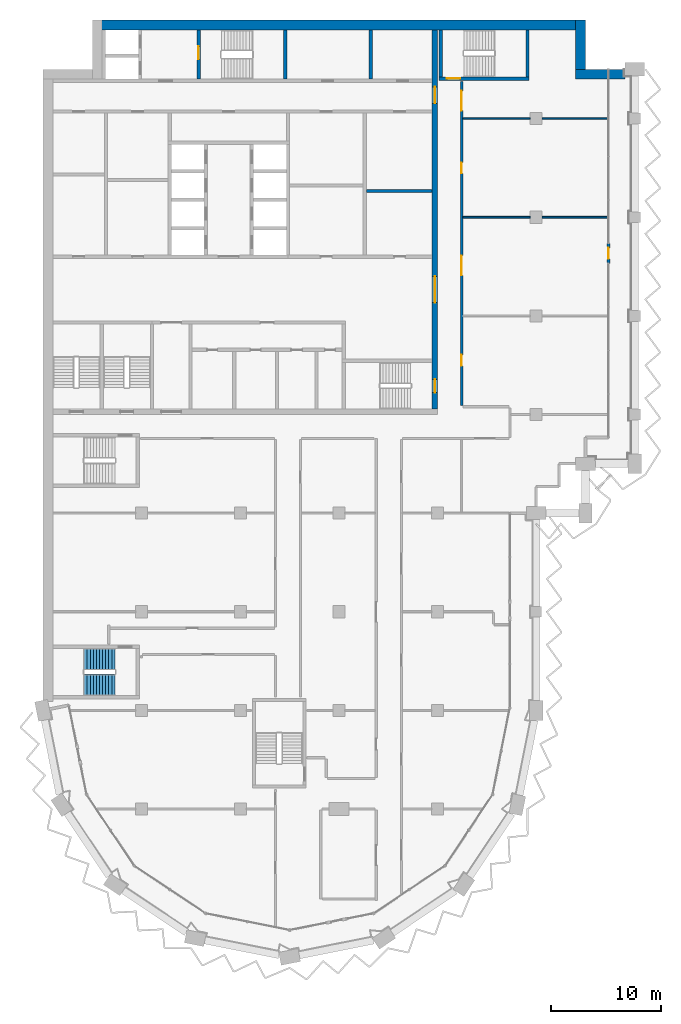
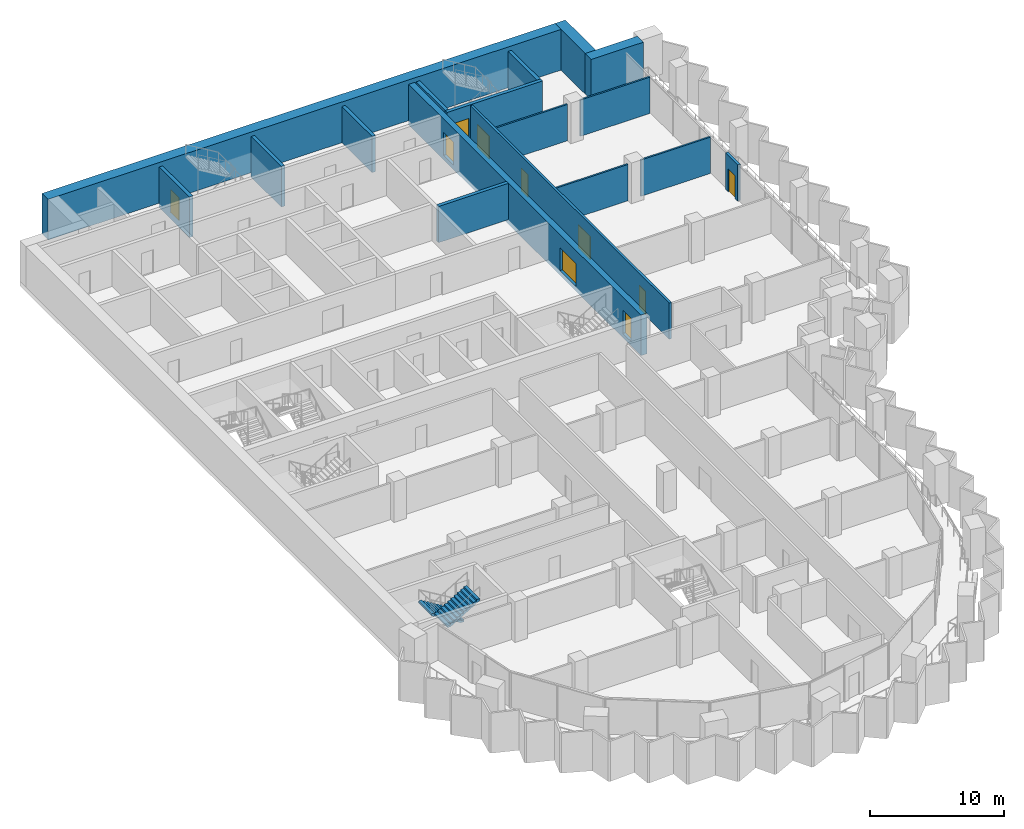
# One storey, part 11 of 17: 17 walls, 10 doors, 2 stair flights, 10 openings, 1 element without a shape of its own.
"""IFC4 building model written with IfcOpenShell, lengths in metres."""

from ifc_helpers import new_model, si_unit, direction, frame, frame_2d, origin, place, context, subcontext, project, spatial, polyline, rectangle, outline, extrude, material, layer, layer_set, type_object, element, fill, aggregate, save


model = new_model("IFC4")

# Units and contexts
model_context = context("Model", 3, precision=1e-05, world=origin(), true_north=direction((0.0, 1.0)))
body_context = subcontext(model_context, "Body", "Model", "MODEL_VIEW")
ifc_project = project(units=[si_unit("LENGTHUNIT", "METRE"), si_unit("AREAUNIT", "SQUARE_METRE"), si_unit("VOLUMEUNIT", "CUBIC_METRE"), si_unit("PLANEANGLEUNIT", "RADIAN"), si_unit("MASSUNIT", "GRAM", prefix="KILO")], contexts=[model_context])

# Site, building, storey
site_placement = place(None, origin())
site = spatial("IfcSite", under=ifc_project, at=site_placement, CompositionType="ELEMENT")
building_placement = place(site_placement, origin())
building = spatial("IfcBuilding", under=site, at=building_placement, Name="Hunhe Ridgeline Campus", CompositionType="ELEMENT")
storey_placement = place(building_placement, frame((0.0, 0.0, 205.0)))
storey = spatial("IfcBuildingStorey", under=building, at=storey_placement, Name="L52", CompositionType="ELEMENT", Elevation=205.0)

# Walls
ifc_material_1 = material(Name="Masonry concrete blockwork", Category="masonry")
ifc_layer_1 = layer(ifc_material_1, 0.300048828125)
ifc_layer_set_1 = layer_set([ifc_layer_1], Name="Core room partition 300 concrete block")
wall_type_1 = type_object("IfcWallType", Name="Core room partition 300 concrete block", PredefinedType="PARTITIONING", material=ifc_layer_set_1)
wall_1_placement = place(storey_placement, frame((29.5, 83.39990234375, 0.0), z_axis=(0.0, 0.0, 1.0), x_axis=(1.0, 0.0, 0.0)))
element("IfcWall", 1, at=wall_1_placement, inside=storey, type_object=wall_type_1, Name="L52 core partition 18", PredefinedType="PARTITIONING", context=body_context, shape_type="SweptSolid", body=[
    extrude(rectangle(XDim=6.0, YDim=0.300048828125, at=frame_2d((3.0, 0.0))), origin(), (0.0, 0.0, 1.0), 3.300048828125),
])
wall_2_placement = place(storey_placement, frame((29.89990234375, 93.60009765625, 0.0), z_axis=(0.0, 0.0, 1.0), x_axis=(0.0, 1.0, 0.0)))
element("IfcWall", 2, at=wall_2_placement, inside=storey, type_object=wall_type_1, Name="L52 core partition 53", PredefinedType="PARTITIONING", context=body_context, shape_type="SweptSolid", body=[
    extrude(rectangle(XDim=4.5, YDim=0.300048828125, at=frame_2d((2.25, 0.0))), origin(), (0.0, 0.0, 1.0), 3.300048828125),
])

# Wall, openings, doors
ifc_material_2 = material(Name="Concrete C60", Category="concrete")
ifc_layer_2 = layer(ifc_material_2, 0.5)
ifc_layer_set_2 = layer_set([ifc_layer_2], Name="Core wall 500 reinforced concrete C60")
wall_type_2 = type_object("IfcWallType", Name="Core wall 500 reinforced concrete C60", PredefinedType="SOLIDWALL", material=ifc_layer_set_2)
wall_3_placement = place(storey_placement, frame((35.75, 63.5, -0.39990234375), z_axis=(0.0, 0.0, 1.0), x_axis=(0.0, 1.0, 0.0)))
wall_3 = element("IfcWall", 3, at=wall_3_placement, inside=storey, type_object=wall_type_2, Name="L52 core wall 54", PredefinedType="SOLIDWALL", context=body_context, shape_type="SweptSolid", body=[
    extrude(rectangle(XDim=34.60009765625, YDim=0.5, at=frame_2d((17.300048828125, 0.0))), origin(), (0.0, 0.0, 1.0), 3.699951171875),
])
opening_1_placement = place(wall_3_placement, frame((9.699951171875, 0.0, 0.39990234375)))
opening_1 = element("IfcOpeningElement", 4, at=opening_1_placement, cuts=wall_3, Name="Opening CD4", PredefinedType="OPENING", context=body_context, shape_type="SweptSolid", body=[
    extrude(rectangle(XDim=2.39990234375, YDim=2.10009765625, at=frame_2d((1.199951171875, 1.050048828125))), frame((0.0, 0.25, 0.0), z_axis=(0.0, -1.0, 0.0), x_axis=(1.0, 0.0, 0.0)), (0.0, 0.0, 1.0), 0.5),
])
opening_2_placement = place(wall_3_placement, frame((27.89990234375, 0.0, 0.39990234375)))
opening_2 = element("IfcOpeningElement", 5, at=opening_2_placement, cuts=wall_3, Name="Opening CD5", PredefinedType="OPENING", context=body_context, shape_type="SweptSolid", body=[
    extrude(rectangle(XDim=1.5, YDim=2.10009765625, at=frame_2d((0.75, 1.050048828125))), frame((0.0, 0.25, 0.0), z_axis=(0.0, -1.0, 0.0), x_axis=(1.0, 0.0, 0.0)), (0.0, 0.0, 1.0), 0.5),
])
opening_3_placement = place(wall_3_placement, frame((1.5, 0.0, 0.39990234375)))
opening_3 = element("IfcOpeningElement", 6, at=opening_3_placement, cuts=wall_3, Name="Opening CD15", PredefinedType="OPENING", context=body_context, shape_type="SweptSolid", body=[
    extrude(rectangle(XDim=1.199951171875, YDim=2.10009765625, at=frame_2d((0.60009765625, 1.050048828125))), frame((0.0, 0.25, 0.0), z_axis=(0.0, -1.0, 0.0), x_axis=(1.0, 0.0, 0.0)), (0.0, 0.0, 1.0), 0.5),
])
ifc_material_3 = material(Name="Anodised aluminium and glass", Category="aluminium")
door_type_1 = type_object("IfcDoorType", Name="Glazed double door 2400x2100", OperationType="DOUBLE_DOOR_SINGLE_SWING", PredefinedType="DOOR", material=ifc_material_3)
door_1_placement = place(opening_1_placement, frame((2.39990234375, 0.0, 0.0), z_axis=(0.0, 0.0, 1.0), x_axis=(-1.0, 0.0, 0.0)))
door_1 = element("IfcDoor", 7, at=door_1_placement, inside=storey, type_object=door_type_1, Name="L52 door HALL-FLOOR", OperationType="DOUBLE_DOOR_SINGLE_SWING", OverallHeight=2.10009765625, OverallWidth=2.39990234375, PredefinedType="DOOR", context=body_context, shape_type="SweptSolid", body=[
    extrude(rectangle(XDim=2.39990234375, YDim=2.10009765625, at=frame_2d((1.199951171875, 1.050048828125))), frame((0.0, 0.02490234375, 0.0), z_axis=(0.0, -1.0, 0.0), x_axis=(1.0, 0.0, 0.0)), (0.0, 0.0, 1.0), 0.050048828125),
])
fill(opening_1, door_1)
ifc_material_4 = material(Name="Hollow metal fire door leaf")
door_type_2 = type_object("IfcDoorType", Name="Stair door 1200x2100 FD60", OperationType="SINGLE_SWING_LEFT", PredefinedType="DOOR", material=ifc_material_4)
door_2_placement = place(opening_3_placement, frame((1.199951171875, 0.0, 0.0), z_axis=(0.0, 0.0, 1.0), x_axis=(-1.0, 0.0, 0.0)))
door_2 = element("IfcDoor", 8, at=door_2_placement, inside=storey, type_object=door_type_2, Name="L52 door S2-FLOOR", OperationType="SINGLE_SWING_LEFT", OverallHeight=2.10009765625, OverallWidth=1.199951171875, PredefinedType="DOOR", context=body_context, shape_type="SweptSolid", body=[
    extrude(rectangle(XDim=1.199951171875, YDim=2.10009765625, at=frame_2d((0.60009765625, 1.050048828125))), frame((0.0, 0.02490234375, 0.0), z_axis=(0.0, -1.0, 0.0), x_axis=(1.0, 0.0, 0.0)), (0.0, 0.0, 1.0), 0.050048828125),
])
fill(opening_3, door_2)
ifc_material_5 = material(Name="Solid core timber door leaf", Category="wood")
door_type_3 = type_object("IfcDoorType", Name="Timber door 1500x2100", OperationType="SINGLE_SWING_LEFT", PredefinedType="DOOR", material=ifc_material_5)
door_3_placement = place(opening_2_placement, frame((1.5, 0.0, 0.0), z_axis=(0.0, 0.0, 1.0), x_axis=(-1.0, 0.0, 0.0)))
door_3 = element("IfcDoor", 9, at=door_3_placement, inside=storey, type_object=door_type_3, Name="L52 door C1-FLOOR", OperationType="SINGLE_SWING_LEFT", OverallHeight=2.10009765625, OverallWidth=1.5, PredefinedType="DOOR", context=body_context, shape_type="SweptSolid", body=[
    extrude(rectangle(XDim=1.5, YDim=2.10009765625, at=frame_2d((0.75, 1.050048828125))), frame((0.0, 0.02490234375, 0.0), z_axis=(0.0, -1.0, 0.0), x_axis=(1.0, 0.0, 0.0)), (0.0, 0.0, 1.0), 0.050048828125),
])
fill(opening_2, door_3)

ifc_material_6 = material(Name="Gypsum board partition")
ifc_layer_3 = layer(ifc_material_6, 0.199951171875)
ifc_layer_set_3 = layer_set([ifc_layer_3], Name="Corridor partition 200 gypsum board on steel studs")
wall_type_3 = type_object("IfcWallType", Name="Corridor partition 200 gypsum board on steel studs", PredefinedType="PARTITIONING", material=ifc_layer_set_3)
wall_4_placement = place(storey_placement, frame((38.199951171875, 93.39599609375, 0.0), z_axis=(0.0, 0.0, 1.0), x_axis=(0.0, -1.0, 0.0)))
wall_4 = element("IfcWall", 10, at=wall_4_placement, inside=storey, type_object=wall_type_3, Name="F-L52-wall-057", PredefinedType="PARTITIONING", context=body_context, shape_type="SweptSolid", body=[
    extrude(rectangle(XDim=29.595947265625, YDim=0.199951171875, at=frame_2d((14.7978515625, 0.0))), origin(), (0.0, 0.0, 1.0), 3.300048828125),
])
opening_4_placement = place(wall_4_placement, frame((24.95751953125, 0.0, 0.0)))
opening_4 = element("IfcOpeningElement", 11, at=opening_4_placement, cuts=wall_4, Name="Opening RD1-017", PredefinedType="OPENING", context=body_context, shape_type="SweptSolid", body=[
    extrude(rectangle(XDim=1.0, YDim=2.10009765625, at=frame_2d((0.5, 1.050048828125))), frame((0.0, 0.10009765625, 0.0), z_axis=(0.0, -1.0, 0.0), x_axis=(1.0, 0.0, 0.0)), (0.0, 0.0, 1.0), 0.199951171875),
])
opening_5_placement = place(wall_4_placement, frame((15.904541015625, 0.0, 0.0)))
opening_5 = element("IfcOpeningElement", 12, at=opening_5_placement, cuts=wall_4, Name="Opening RD2-018", PredefinedType="OPENING", context=body_context, shape_type="SweptSolid", body=[
    extrude(rectangle(XDim=1.800048828125, YDim=2.10009765625, at=frame_2d((0.89990234375, 1.050048828125))), frame((0.0, 0.10009765625, 0.0), z_axis=(0.0, -1.0, 0.0), x_axis=(1.0, 0.0, 0.0)), (0.0, 0.0, 1.0), 0.199951171875),
])
opening_6_placement = place(wall_4_placement, frame((7.400634765625, 0.0, 0.0)))
opening_6 = element("IfcOpeningElement", 13, at=opening_6_placement, cuts=wall_4, Name="Opening RD1-019", PredefinedType="OPENING", context=body_context, shape_type="SweptSolid", body=[
    extrude(rectangle(XDim=1.0, YDim=2.10009765625, at=frame_2d((0.5, 1.050048828125))), frame((0.0, 0.10009765625, 0.0), z_axis=(0.0, -1.0, 0.0), x_axis=(1.0, 0.0, 0.0)), (0.0, 0.0, 1.0), 0.199951171875),
])
opening_7_placement = place(wall_4_placement, frame((0.855712890625, 0.0, 0.0)))
opening_7 = element("IfcOpeningElement", 14, at=opening_7_placement, cuts=wall_4, Name="Opening RD2-020", PredefinedType="OPENING", context=body_context, shape_type="SweptSolid", body=[
    extrude(rectangle(XDim=1.800048828125, YDim=2.10009765625, at=frame_2d((0.89990234375, 1.050048828125))), frame((0.0, 0.10009765625, 0.0), z_axis=(0.0, -1.0, 0.0), x_axis=(1.0, 0.0, 0.0)), (0.0, 0.0, 1.0), 0.199951171875),
])
ifc_material_7 = material(Name="Timber door leaf", Category="wood")
door_type_4 = type_object("IfcDoorType", Name="Double fire door 1800x2100 timber FD60", OperationType="DOUBLE_DOOR_SINGLE_SWING", PredefinedType="DOOR", material=ifc_material_7)
door_4_placement = place(opening_5_placement, origin())
door_4 = element("IfcDoor", 15, at=door_4_placement, inside=storey, type_object=door_type_4, Name="F-L52-door-018", OperationType="DOUBLE_DOOR_SINGLE_SWING", OverallHeight=2.10009765625, OverallWidth=1.800048828125, PredefinedType="DOOR", context=body_context, shape_type="SweptSolid", body=[
    extrude(rectangle(XDim=1.800048828125, YDim=2.10009765625, at=frame_2d((0.89990234375, 1.050048828125))), frame((0.0, 0.02490234375, 0.0), z_axis=(0.0, -1.0, 0.0), x_axis=(1.0, 0.0, 0.0)), (0.0, 0.0, 1.0), 0.050048828125),
])
fill(opening_5, door_4)
door_5_placement = place(opening_7_placement, origin())
door_5 = element("IfcDoor", 16, at=door_5_placement, inside=storey, type_object=door_type_4, Name="F-L52-door-020", OperationType="DOUBLE_DOOR_SINGLE_SWING", OverallHeight=2.10009765625, OverallWidth=1.800048828125, PredefinedType="DOOR", context=body_context, shape_type="SweptSolid", body=[
    extrude(rectangle(XDim=1.800048828125, YDim=2.10009765625, at=frame_2d((0.89990234375, 1.050048828125))), frame((0.0, 0.02490234375, 0.0), z_axis=(0.0, -1.0, 0.0), x_axis=(1.0, 0.0, 0.0)), (0.0, 0.0, 1.0), 0.050048828125),
])
fill(opening_7, door_5)
door_type_5 = type_object("IfcDoorType", Name="Single fire door 1000x2100 timber FD60", OperationType="NOTDEFINED", PredefinedType="DOOR", material=ifc_material_7)
door_6_placement = place(opening_4_placement, origin())
door_6 = element("IfcDoor", 17, at=door_6_placement, inside=storey, type_object=door_type_5, Name="F-L52-door-017", OperationType="SINGLE_SWING_RIGHT", OverallHeight=2.10009765625, OverallWidth=1.0, PredefinedType="DOOR", context=body_context, shape_type="SweptSolid", body=[
    extrude(rectangle(XDim=1.0, YDim=2.10009765625, at=frame_2d((0.5, 1.050048828125))), frame((0.0, 0.02490234375, 0.0), z_axis=(0.0, -1.0, 0.0), x_axis=(1.0, 0.0, 0.0)), (0.0, 0.0, 1.0), 0.050048828125),
])
fill(opening_4, door_6)
door_7_placement = place(opening_6_placement, origin())
door_7 = element("IfcDoor", 18, at=door_7_placement, inside=storey, type_object=door_type_5, Name="F-L52-door-019", OperationType="SINGLE_SWING_LEFT", OverallHeight=2.10009765625, OverallWidth=1.0, PredefinedType="DOOR", context=body_context, shape_type="SweptSolid", body=[
    extrude(rectangle(XDim=1.0, YDim=2.10009765625, at=frame_2d((0.5, 1.050048828125))), frame((0.0, 0.02490234375, 0.0), z_axis=(0.0, -1.0, 0.0), x_axis=(1.0, 0.0, 0.0)), (0.0, 0.0, 1.0), 0.050048828125),
])
fill(opening_6, door_7)

# Wall, opening, door
ifc_material_8 = material(Name="Concrete C30", Category="concrete")
ifc_layer_4 = layer(ifc_material_8, 0.25)
ifc_layer_set_4 = layer_set([ifc_layer_4], Name="Loggia door pier wall 250 Concrete C30")
wall_type_4 = type_object("IfcWallType", Name="Loggia door pier wall 250 Concrete C30", PredefinedType="SOLIDWALL", material=ifc_layer_set_4)
wall_5_placement = place(storey_placement, frame((51.59912109375, 76.800537109375, 0.0), z_axis=(0.0, 0.0, 1.0), x_axis=(0.0, 1.0, 0.0)))
wall_5 = element("IfcWall", 19, at=wall_5_placement, inside=storey, type_object=wall_type_4, Name="Loggia door pier 4", PredefinedType="SOLIDWALL", context=body_context, shape_type="SweptSolid", body=[
    extrude(rectangle(XDim=1.800048828125, YDim=0.25, at=frame_2d((0.89990234375, 0.0))), origin(), (0.0, 0.0, 1.0), 3.300048828125),
])
opening_8_placement = place(wall_5_placement, frame((0.39990234375, 0.0, 0.0)))
opening_8 = element("IfcOpeningElement", 20, at=opening_8_placement, cuts=wall_5, Name="Opening BD406", PredefinedType="OPENING", context=body_context, shape_type="SweptSolid", body=[
    extrude(rectangle(XDim=1.0, YDim=2.10009765625, at=frame_2d((0.5, 1.050048828125))), frame((0.0, 0.125, 0.0), z_axis=(0.0, -1.0, 0.0), x_axis=(1.0, 0.0, 0.0)), (0.0, 0.0, 1.0), 0.25),
])
ifc_material_9 = material(Name="Aluminium 6063", Category="aluminium")
door_type_6 = type_object("IfcDoorType", Name="Loggia glazed door 1000x2100", OperationType="NOTDEFINED", PredefinedType="DOOR", material=ifc_material_9)
door_8_placement = place(opening_8_placement, frame((1.0, 0.0, 0.0), z_axis=(0.0, 0.0, 1.0), x_axis=(-1.0, 0.0, 0.0)))
door_8 = element("IfcDoor", 21, at=door_8_placement, inside=storey, type_object=door_type_6, Name="Loggia door BD406", OperationType="SINGLE_SWING_LEFT", OverallHeight=2.10009765625, OverallWidth=1.0, PredefinedType="DOOR", context=body_context, shape_type="SweptSolid", body=[
    extrude(rectangle(XDim=1.0, YDim=2.10009765625, at=frame_2d((0.5, 1.050048828125))), frame((0.0, 0.02490234375, 0.0), z_axis=(0.0, -1.0, 0.0), x_axis=(1.0, 0.0, 0.0)), (0.0, 0.0, 1.0), 0.050048828125),
])
fill(opening_8, door_8)

# Walls
ifc_layer_5 = layer(ifc_material_6, 0.14990234375)
ifc_layer_set_5 = layer_set([ifc_layer_5], Name="Room partition 150 gypsum board on steel studs")
wall_type_5 = type_object("IfcWallType", Name="Room partition 150 gypsum board on steel studs", PredefinedType="PARTITIONING", material=ifc_layer_set_5)
wall_6_placement = place(storey_placement, frame((38.300048828125, 81.0, 0.0), z_axis=(0.0, 0.0, 1.0), x_axis=(1.0, 0.0, 0.0)))
element("IfcWall", 22, at=wall_6_placement, inside=storey, type_object=wall_type_5, Name="F-L52-wall-041", PredefinedType="PARTITIONING", context=body_context, shape_type="SweptSolid", body=[
    extrude(rectangle(XDim=6.14990234375, YDim=0.14990234375, at=frame_2d((3.074951171875, 0.0))), origin(), (0.0, 0.0, 1.0), 3.300048828125),
])
wall_7_placement = place(storey_placement, frame((45.550048828125, 81.0, 0.0), z_axis=(0.0, 0.0, 1.0), x_axis=(1.0, 0.0, 0.0)))
element("IfcWall", 23, at=wall_7_placement, inside=storey, type_object=wall_type_5, Name="F-L52-wall-042", PredefinedType="PARTITIONING", context=body_context, shape_type="SweptSolid", body=[
    extrude(rectangle(XDim=5.994873046875, YDim=0.14990234375, at=frame_2d((2.99755859375, 0.0))), origin(), (0.0, 0.0, 1.0), 3.300048828125),
])
wall_8_placement = place(storey_placement, frame((38.300048828125, 90.0, 0.0), z_axis=(0.0, 0.0, 1.0), x_axis=(1.0, 0.0, 0.0)))
element("IfcWall", 24, at=wall_8_placement, inside=storey, type_object=wall_type_5, Name="F-L52-wall-043", PredefinedType="PARTITIONING", context=body_context, shape_type="SweptSolid", body=[
    extrude(rectangle(XDim=6.14990234375, YDim=0.14990234375, at=frame_2d((3.074951171875, 0.0))), origin(), (0.0, 0.0, 1.0), 3.300048828125),
])
wall_9_placement = place(storey_placement, frame((45.550048828125, 90.0, 0.0), z_axis=(0.0, 0.0, 1.0), x_axis=(1.0, 0.0, 0.0)))
element("IfcWall", 25, at=wall_9_placement, inside=storey, type_object=wall_type_5, Name="F-L52-wall-044", PredefinedType="PARTITIONING", context=body_context, shape_type="SweptSolid", body=[
    extrude(rectangle(XDim=5.994873046875, YDim=0.14990234375, at=frame_2d((2.99755859375, 0.0))), origin(), (0.0, 0.0, 1.0), 3.300048828125),
])
ifc_layer_6 = layer(ifc_material_2, 0.89990234375)
ifc_layer_set_6 = layer_set([ifc_layer_6], Name="Spine wall 900 Concrete C60")
wall_type_6 = type_object("IfcWallType", Name="Spine wall 900 Concrete C60", PredefinedType="SHEAR", material=ifc_layer_set_6)
wall_10_placement = place(storey_placement, frame((53.10009765625, 94.050048828125, 0.0), z_axis=(0.0, 0.0, 1.0), x_axis=(-1.0, 0.0, 0.0)))
element("IfcWall", 26, at=wall_10_placement, inside=storey, type_object=wall_type_6, Name="Spine wall SW3-2 L52", PredefinedType="SHEAR", context=body_context, shape_type="SweptSolid", body=[
    extrude(rectangle(XDim=4.5, YDim=0.89990234375, at=frame_2d((2.25, 0.0))), origin(), (0.0, 0.0, 1.0), 3.699951171875),
])
wall_11_placement = place(storey_placement, frame((49.050048828125, 93.60009765625, 0.0), z_axis=(0.0, 0.0, 1.0), x_axis=(0.0, 1.0, 0.0)))
element("IfcWall", 27, at=wall_11_placement, inside=storey, type_object=wall_type_6, Name="Spine wall SW3-3 L52", PredefinedType="SHEAR", context=body_context, shape_type="SweptSolid", body=[
    extrude(rectangle(XDim=5.39990234375, YDim=0.89990234375, at=frame_2d((2.699951171875, 0.0))), origin(), (0.0, 0.0, 1.0), 3.699951171875),
])
wall_12_placement = place(storey_placement, frame((49.5, 98.550048828125, 0.0), z_axis=(0.0, 0.0, 1.0), x_axis=(-1.0, 0.0, 0.0)))
element("IfcWall", 28, at=wall_12_placement, inside=storey, type_object=wall_type_6, Name="Spine wall SW3-4 L52", PredefinedType="SHEAR", context=body_context, shape_type="SweptSolid", body=[
    extrude(rectangle(XDim=45.0, YDim=0.89990234375, at=frame_2d((22.5, 0.0))), origin(), (0.0, 0.0, 1.0), 3.699951171875),
])

# Wall, opening, door
ifc_layer_7 = layer(ifc_material_2, 0.300048828125)
ifc_layer_set_7 = layer_set([ifc_layer_7], Name="Stair wall 300 reinforced concrete C60")
wall_type_7 = type_object("IfcWallType", Name="Stair wall 300 reinforced concrete C60", PredefinedType="SOLIDWALL", material=ifc_layer_set_7)
wall_13_placement = place(storey_placement, frame((36.14990234375, 93.64990234375, -0.39990234375), z_axis=(0.0, 0.0, 1.0), x_axis=(1.0, 0.0, 0.0)))
wall_13 = element("IfcWall", 29, at=wall_13_placement, inside=storey, type_object=wall_type_7, Name="L52 core wall 27", PredefinedType="SOLIDWALL", context=body_context, shape_type="SweptSolid", body=[
    extrude(rectangle(XDim=8.2001953125, YDim=0.300048828125, at=frame_2d((4.10009765625, 0.0))), origin(), (0.0, 0.0, 1.0), 3.699951171875),
])
opening_9_placement = place(wall_13_placement, frame((0.699951171875, 0.0, 0.39990234375)))
opening_9 = element("IfcOpeningElement", 30, at=opening_9_placement, cuts=wall_13, Name="Opening CD17", PredefinedType="OPENING", context=body_context, shape_type="SweptSolid", body=[
    extrude(rectangle(XDim=1.199951171875, YDim=2.10009765625, at=frame_2d((0.60009765625, 1.050048828125))), frame((0.0, 0.14990234375, 0.0), z_axis=(0.0, -1.0, 0.0), x_axis=(1.0, 0.0, 0.0)), (0.0, 0.0, 1.0), 0.300048828125),
])
door_9_placement = place(opening_9_placement, frame((1.199951171875, 0.0, 0.0), z_axis=(0.0, 0.0, 1.0), x_axis=(-1.0, 0.0, 0.0)))
door_9 = element("IfcDoor", 31, at=door_9_placement, inside=storey, type_object=door_type_2, Name="L52 door E1", OperationType="SINGLE_SWING_LEFT", OverallHeight=2.10009765625, OverallWidth=1.199951171875, PredefinedType="DOOR", context=body_context, shape_type="SweptSolid", body=[
    extrude(rectangle(XDim=1.199951171875, YDim=2.10009765625, at=frame_2d((0.60009765625, 1.050048828125))), frame((0.0, 0.02490234375, 0.0), z_axis=(0.0, -1.0, 0.0), x_axis=(1.0, 0.0, 0.0)), (0.0, 0.0, 1.0), 0.050048828125),
])
fill(opening_9, door_9)

wall_14_placement = place(storey_placement, frame((14.199951171875, 93.60009765625, -0.39990234375), z_axis=(0.0, 0.0, 1.0), x_axis=(0.0, 1.0, 0.0)))
wall_14 = element("IfcWall", 32, at=wall_14_placement, inside=storey, type_object=wall_type_7, Name="L52 core wall 39", PredefinedType="SOLIDWALL", context=body_context, shape_type="SweptSolid", body=[
    extrude(rectangle(XDim=4.5, YDim=0.300048828125, at=frame_2d((2.25, 0.0))), origin(), (0.0, 0.0, 1.0), 3.699951171875),
])
opening_10_placement = place(wall_14_placement, frame((1.800048828125, 0.0, 0.39990234375)))
opening_10 = element("IfcOpeningElement", 33, at=opening_10_placement, cuts=wall_14, Name="Opening CD16", PredefinedType="OPENING", context=body_context, shape_type="SweptSolid", body=[
    extrude(rectangle(XDim=1.199951171875, YDim=2.10009765625, at=frame_2d((0.60009765625, 1.050048828125))), frame((0.0, 0.14990234375, 0.0), z_axis=(0.0, -1.0, 0.0), x_axis=(1.0, 0.0, 0.0)), (0.0, 0.0, 1.0), 0.300048828125),
])
door_10_placement = place(opening_10_placement, origin())
door_10 = element("IfcDoor", 34, at=door_10_placement, inside=storey, type_object=door_type_2, Name="L52 door S1-FF", OperationType="SINGLE_SWING_RIGHT", OverallHeight=2.10009765625, OverallWidth=1.199951171875, PredefinedType="DOOR", context=body_context, shape_type="SweptSolid", body=[
    extrude(rectangle(XDim=1.199951171875, YDim=2.10009765625, at=frame_2d((0.60009765625, 1.050048828125))), frame((0.0, 0.02490234375, 0.0), z_axis=(0.0, -1.0, 0.0), x_axis=(1.0, 0.0, 0.0)), (0.0, 0.0, 1.0), 0.050048828125),
])
fill(opening_10, door_10)

# Walls
wall_15_placement = place(storey_placement, frame((22.10009765625, 93.60009765625, -0.39990234375), z_axis=(0.0, 0.0, 1.0), x_axis=(0.0, 1.0, 0.0)))
element("IfcWall", 35, at=wall_15_placement, inside=storey, type_object=wall_type_7, Name="L52 core wall 45", PredefinedType="SOLIDWALL", context=body_context, shape_type="SweptSolid", body=[
    extrude(rectangle(XDim=4.5, YDim=0.300048828125, at=frame_2d((2.25, 0.0))), origin(), (0.0, 0.0, 1.0), 3.699951171875),
])
for number, where, z_axis, x_axis, name in (
    (36, (36.300048828125, 93.800048828125, -0.39990234375), (0.0, 0.0, 1.0), (0.0, 1.0, 0.0), "L52 core wall 55"),
    (37, (44.199951171875, 93.800048828125, -0.39990234375), (0.0, 0.0, 1.0), (0.0, 1.0, 0.0), "L52 core wall 56"),
):
    element("IfcWall", number, at=place(storey_placement, frame(where, z_axis=z_axis, x_axis=x_axis)), inside=storey, type_object=wall_type_7, Name=name, PredefinedType="SOLIDWALL", context=body_context, shape_type="SweptSolid", body=[
        extrude(rectangle(XDim=4.300048828125, YDim=0.300048828125, at=frame_2d((2.14990234375, 0.0))), origin(), (0.0, 0.0, 1.0), 3.699951171875),
    ])

# Stair, stair flights
ifc_material_10 = material(Name="Concrete C40", Category="concrete")
stair_type = type_object("IfcStairType", Name="Reinforced concrete dog-leg stair 1950 Concrete C40", PredefinedType="HALF_TURN_STAIR", material=ifc_material_10)
stair_placement = place(storey_placement, origin())
stair = element("IfcStair", 38, at=stair_placement, inside=storey, type_object=stair_type, Name="L52 W1", PredefinedType="HALF_TURN_STAIR")
stair_flight_type = type_object("IfcStairFlightType", Name="Reinforced concrete stair flight 1950 Concrete C40", PredefinedType="STRAIGHT", material=ifc_material_10)
stair_flight_1_placement = place(storey_placement, frame((6.550048828125, 40.675048828125, 0.0), z_axis=(0.0, 0.0, 1.0), x_axis=(-1.0, 0.0, 0.0)))
stair_flight_1 = element("IfcStairFlight", 39, at=stair_flight_1_placement, type_object=stair_flight_type, Name="ST11 flight 1", NumberOfRisers=11, NumberOfTreads=10, PredefinedType="STRAIGHT", RiserHeight=0.168181818, TreadLength=0.28, context=body_context, shape_type="SweptSolid", body=[
    extrude(outline(polyline([(0.0, 0.0), (0.0, 0.168212890625), (0.280029296875, 0.168212890625), (0.280029296875, 0.33642578125), (0.56005859375, 0.33642578125), (0.56005859375, 0.504638671875), (0.840087890625, 0.504638671875), (0.840087890625, 0.672607421875), (1.1201171875, 0.672607421875), (1.1201171875, 0.8408203125), (1.39990234375, 0.8408203125), (1.39990234375, 1.009033203125), (1.679931640625, 1.009033203125), (1.679931640625, 1.17724609375), (1.9599609375, 1.17724609375), (1.9599609375, 1.345458984375), (2.239990234375, 1.345458984375), (2.239990234375, 1.513671875), (2.52001953125, 1.513671875), (2.52001953125, 1.681884765625), (2.800048828125, 1.681884765625), (2.800048828125, 1.85009765625), (2.800048828125, 1.5068359375), (0.291015625, 0.0), (0.0, 0.0)])), frame((0.0, 0.97509765625, 0.0), z_axis=(0.0, -1.0, 0.0), x_axis=(1.0, 0.0, 0.0)), (0.0, 0.0, 1.0), 1.949951171875),
    extrude(outline(polyline([(0.030029296875, 0.030029296875), (0.030029296875, 0.13818359375), (0.31005859375, 0.13818359375), (0.31005859375, 0.306396484375), (0.590087890625, 0.306396484375), (0.590087890625, 0.474609375), (0.8701171875, 0.474609375), (0.8701171875, 0.642578125), (1.14990234375, 0.642578125), (1.14990234375, 0.810791015625), (1.429931640625, 0.810791015625), (1.429931640625, 0.97900390625), (1.7099609375, 0.97900390625), (1.7099609375, 1.147216796875), (1.989990234375, 1.147216796875), (1.989990234375, 1.3154296875), (2.27001953125, 1.3154296875), (2.27001953125, 1.483642578125), (2.550048828125, 1.483642578125), (2.550048828125, 1.65185546875), (2.77001953125, 1.65185546875), (2.77001953125, 1.52392578125), (0.28271484375, 0.030029296875), (0.030029296875, 0.030029296875)])), frame((0.0, -0.070068359375, 0.0), z_axis=(0.0, -1.0, 0.0), x_axis=(1.0, 0.0, 0.0)), (0.0, 0.0, 1.0), 0.019775390625),
    extrude(outline(polyline([(0.030029296875, 0.030029296875), (0.030029296875, 0.13818359375), (0.31005859375, 0.13818359375), (0.31005859375, 0.306396484375), (0.590087890625, 0.306396484375), (0.590087890625, 0.474609375), (0.8701171875, 0.474609375), (0.8701171875, 0.642578125), (1.14990234375, 0.642578125), (1.14990234375, 0.810791015625), (1.429931640625, 0.810791015625), (1.429931640625, 0.97900390625), (1.7099609375, 0.97900390625), (1.7099609375, 1.147216796875), (1.989990234375, 1.147216796875), (1.989990234375, 1.3154296875), (2.27001953125, 1.3154296875), (2.27001953125, 1.483642578125), (2.550048828125, 1.483642578125), (2.550048828125, 1.65185546875), (2.77001953125, 1.65185546875), (2.77001953125, 1.52392578125), (0.28271484375, 0.030029296875), (0.030029296875, 0.030029296875)])), frame((0.0, 0.010009765625, 0.0), z_axis=(0.0, -1.0, 0.0), x_axis=(1.0, 0.0, 0.0)), (0.0, 0.0, 1.0), 0.019775390625),
    extrude(outline(polyline([(0.030029296875, 0.030029296875), (0.030029296875, 0.13818359375), (0.31005859375, 0.13818359375), (0.31005859375, 0.306396484375), (0.590087890625, 0.306396484375), (0.590087890625, 0.474609375), (0.8701171875, 0.474609375), (0.8701171875, 0.642578125), (1.14990234375, 0.642578125), (1.14990234375, 0.810791015625), (1.429931640625, 0.810791015625), (1.429931640625, 0.97900390625), (1.7099609375, 0.97900390625), (1.7099609375, 1.147216796875), (1.989990234375, 1.147216796875), (1.989990234375, 1.3154296875), (2.27001953125, 1.3154296875), (2.27001953125, 1.483642578125), (2.550048828125, 1.483642578125), (2.550048828125, 1.65185546875), (2.77001953125, 1.65185546875), (2.77001953125, 1.52392578125), (0.28271484375, 0.030029296875), (0.030029296875, 0.030029296875)])), frame((0.0, 0.090087890625, 0.0), z_axis=(0.0, -1.0, 0.0), x_axis=(1.0, 0.0, 0.0)), (0.0, 0.0, 1.0), 0.019775390625),
])
stair_flight_2_placement = place(storey_placement, frame((3.75, 38.324951171875, 1.85009765625), z_axis=(0.0, 0.0, 1.0), x_axis=(1.0, 0.0, 0.0)))
stair_flight_2 = element("IfcStairFlight", 40, at=stair_flight_2_placement, type_object=stair_flight_type, Name="ST11 flight 2", NumberOfRisers=11, NumberOfTreads=10, PredefinedType="STRAIGHT", RiserHeight=0.168181818, TreadLength=0.28, context=body_context, shape_type="SweptSolid", body=[
    extrude(outline(polyline([(0.0, 0.0), (0.0, 0.168212890625), (0.280029296875, 0.168212890625), (0.280029296875, 0.33642578125), (0.56005859375, 0.33642578125), (0.56005859375, 0.504638671875), (0.840087890625, 0.504638671875), (0.840087890625, 0.672607421875), (1.1201171875, 0.672607421875), (1.1201171875, 0.8408203125), (1.39990234375, 0.8408203125), (1.39990234375, 1.009033203125), (1.679931640625, 1.009033203125), (1.679931640625, 1.17724609375), (1.9599609375, 1.17724609375), (1.9599609375, 1.345458984375), (2.239990234375, 1.345458984375), (2.239990234375, 1.513671875), (2.52001953125, 1.513671875), (2.52001953125, 1.681884765625), (2.800048828125, 1.681884765625), (2.800048828125, 1.85009765625), (2.800048828125, 1.5068359375), (0.291015625, 0.0), (0.0, 0.0)])), frame((0.0, 0.97509765625, 0.0), z_axis=(0.0, -1.0, 0.0), x_axis=(1.0, 0.0, 0.0)), (0.0, 0.0, 1.0), 1.949951171875),
    extrude(outline(polyline([(0.030029296875, 0.030029296875), (0.030029296875, 0.13818359375), (0.31005859375, 0.13818359375), (0.31005859375, 0.306396484375), (0.590087890625, 0.306396484375), (0.590087890625, 0.474609375), (0.8701171875, 0.474609375), (0.8701171875, 0.642578125), (1.14990234375, 0.642578125), (1.14990234375, 0.810791015625), (1.429931640625, 0.810791015625), (1.429931640625, 0.97900390625), (1.7099609375, 0.97900390625), (1.7099609375, 1.147216796875), (1.989990234375, 1.147216796875), (1.989990234375, 1.3154296875), (2.27001953125, 1.3154296875), (2.27001953125, 1.483642578125), (2.550048828125, 1.483642578125), (2.550048828125, 1.65185546875), (2.77001953125, 1.65185546875), (2.77001953125, 1.52392578125), (0.28271484375, 0.030029296875), (0.030029296875, 0.030029296875)])), frame((0.0, -0.070068359375, 0.0), z_axis=(0.0, -1.0, 0.0), x_axis=(1.0, 0.0, 0.0)), (0.0, 0.0, 1.0), 0.019775390625),
    extrude(outline(polyline([(0.030029296875, 0.030029296875), (0.030029296875, 0.13818359375), (0.31005859375, 0.13818359375), (0.31005859375, 0.306396484375), (0.590087890625, 0.306396484375), (0.590087890625, 0.474609375), (0.8701171875, 0.474609375), (0.8701171875, 0.642578125), (1.14990234375, 0.642578125), (1.14990234375, 0.810791015625), (1.429931640625, 0.810791015625), (1.429931640625, 0.97900390625), (1.7099609375, 0.97900390625), (1.7099609375, 1.147216796875), (1.989990234375, 1.147216796875), (1.989990234375, 1.3154296875), (2.27001953125, 1.3154296875), (2.27001953125, 1.483642578125), (2.550048828125, 1.483642578125), (2.550048828125, 1.65185546875), (2.77001953125, 1.65185546875), (2.77001953125, 1.52392578125), (0.28271484375, 0.030029296875), (0.030029296875, 0.030029296875)])), frame((0.0, 0.010009765625, 0.0), z_axis=(0.0, -1.0, 0.0), x_axis=(1.0, 0.0, 0.0)), (0.0, 0.0, 1.0), 0.019775390625),
    extrude(outline(polyline([(0.030029296875, 0.030029296875), (0.030029296875, 0.13818359375), (0.31005859375, 0.13818359375), (0.31005859375, 0.306396484375), (0.590087890625, 0.306396484375), (0.590087890625, 0.474609375), (0.8701171875, 0.474609375), (0.8701171875, 0.642578125), (1.14990234375, 0.642578125), (1.14990234375, 0.810791015625), (1.429931640625, 0.810791015625), (1.429931640625, 0.97900390625), (1.7099609375, 0.97900390625), (1.7099609375, 1.147216796875), (1.989990234375, 1.147216796875), (1.989990234375, 1.3154296875), (2.27001953125, 1.3154296875), (2.27001953125, 1.483642578125), (2.550048828125, 1.483642578125), (2.550048828125, 1.65185546875), (2.77001953125, 1.65185546875), (2.77001953125, 1.52392578125), (0.28271484375, 0.030029296875), (0.030029296875, 0.030029296875)])), frame((0.0, 0.090087890625, 0.0), z_axis=(0.0, -1.0, 0.0), x_axis=(1.0, 0.0, 0.0)), (0.0, 0.0, 1.0), 0.019775390625),
])
aggregate(stair, [stair_flight_1, stair_flight_2])

save(model, "model.ifc")
